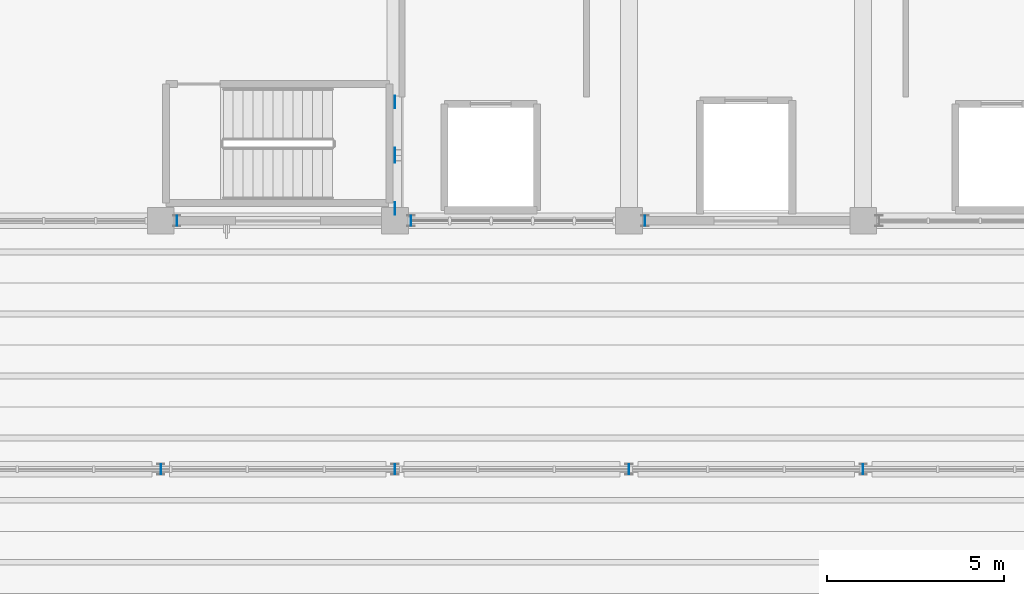
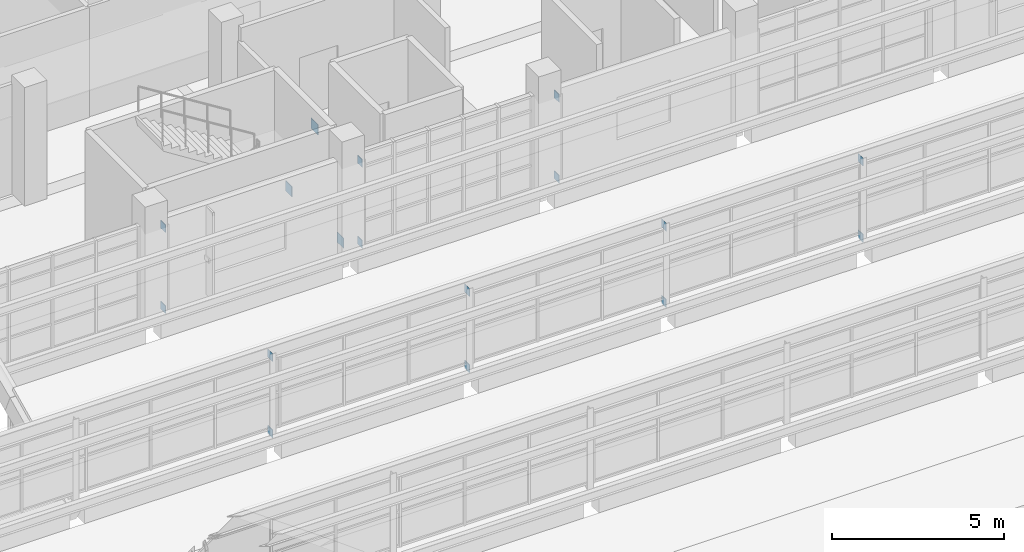
# One storey, part 83 of 92: 17 plates.
"""IFC4 building model written with IfcOpenShell, lengths in metres."""

from ifc_helpers import new_model, si_unit, direction, frame, origin, origin_2d, place, context, subcontext, project, spatial, rectangle, extrude, material, layer, layer_set, type_object, element, save


model = new_model("IFC4")

# Units and contexts
model_context = context("Model", 3, precision=1e-05, world=origin(), true_north=direction((0.0, 1.0)))
body_context = subcontext(model_context, "Body", "Model", "MODEL_VIEW")
ifc_project = project(units=[si_unit("LENGTHUNIT", "METRE"), si_unit("AREAUNIT", "SQUARE_METRE"), si_unit("VOLUMEUNIT", "CUBIC_METRE"), si_unit("PLANEANGLEUNIT", "RADIAN"), si_unit("MASSUNIT", "GRAM", prefix="KILO")], contexts=[model_context])

# Site, building, storey
site_placement = place(None, origin())
site = spatial("IfcSite", under=ifc_project, at=site_placement, CompositionType="ELEMENT")
building_placement = place(site_placement, origin())
building = spatial("IfcBuilding", under=site, at=building_placement, Name="Ciguamira Faculty of Natural Sciences", CompositionType="ELEMENT")
storey_placement = place(building_placement, frame((0.0, 0.0, 16.800048828125)))
storey = spatial("IfcBuildingStorey", under=building, at=storey_placement, Name="L04", CompositionType="ELEMENT", Elevation=16.800048828125)

# Plates
ifc_material = material(Name="Steel ASTM A572 Grade 50", Category="steel")
ifc_layer_1 = layer(ifc_material, 0.01611328125, Name="Steel ASTM A572 Grade 50")
ifc_layer_set_1 = layer_set([ifc_layer_1], Name="Steel ASTM A572 Grade 50")
plate_type_1 = type_object("IfcPlateType", Name="GussetPlate_EP-01", PredefinedType="SHEET", material=ifc_layer_set_1)
for number, where, z_axis, x_axis, name in (
    (1, (70.5, 87.0, 0.0), (0.0, 0.0, 1.0), (1.0, 0.0, 0.0), "V4 wave 6 post connection plate 70-1"),
    (2, (70.5, 87.0, 2.7060546875), (0.0, 0.0, 1.0), (1.0, 0.0, 0.0), "V4 wave 6 post connection plate 70-2"),
    (3, (77.10009765625, 87.0, 0.0), (0.0, 0.0, 1.0), (1.0, 0.0, 0.0), "V4 wave 6 post connection plate 77-1"),
    (4, (77.10009765625, 87.0, 2.7060546875), (0.0, 0.0, 1.0), (1.0, 0.0, 0.0), "V4 wave 6 post connection plate 77-2"),
    (5, (83.699951171875, 87.0, 0.0), (0.0, 0.0, 1.0), (1.0, 0.0, 0.0), "V4 wave 6 post connection plate 84-1"),
    (6, (83.699951171875, 87.0, 2.7060546875), (0.0, 0.0, 1.0), (1.0, 0.0, 0.0), "V4 wave 6 post connection plate 84-2"),
    (7, (90.300048828125, 87.0, 0.0), (0.0, 0.0, 1.0), (1.0, 0.0, 0.0), "V4 wave 6 post connection plate 90-1"),
    (8, (90.300048828125, 87.0, 2.7060546875), (0.0, 0.0, 1.0), (1.0, 0.0, 0.0), "V4 wave 6 post connection plate 90-2"),
    (9, (70.949951171875, 94.0, 0.0), (0.0, 0.0, 1.0), (1.0, 0.0, 0.0), "V4 wave 7 post connection plate 70-1"),
    (10, (70.949951171875, 94.0, 2.8701171875), (0.0, 0.0, 1.0), (1.0, 0.0, 0.0), "V4 wave 7 post connection plate 70-2"),
    (11, (77.550048828125, 94.0, 0.0), (0.0, 0.0, 1.0), (1.0, 0.0, 0.0), "V4 wave 7 post connection plate 77-1"),
    (12, (77.550048828125, 94.0, 2.8701171875), (0.0, 0.0, 1.0), (1.0, 0.0, 0.0), "V4 wave 7 post connection plate 77-2"),
    (13, (84.14990234375, 94.0, 0.0), (0.0, 0.0, 1.0), (1.0, 0.0, 0.0), "V4 wave 7 post connection plate 84-1"),
    (14, (84.14990234375, 94.0, 2.8701171875), (0.0, 0.0, 1.0), (1.0, 0.0, 0.0), "V4 wave 7 post connection plate 84-2"),
):
    element("IfcPlate", number, at=place(storey_placement, frame(where, z_axis=z_axis, x_axis=x_axis)), inside=storey, type_object=plate_type_1, Name=name, PredefinedType="SHEET", context=body_context, shape_type="SweptSolid", body=[
        extrude(rectangle(XDim=0.01611328125, YDim=0.280029296875, at=origin_2d()), origin(), (0.0, 0.0, 1.0), 0.280029296875),
    ])
ifc_layer_2 = layer(ifc_material, 0.02001953125, Name="Steel ASTM A572 Grade 50")
ifc_layer_set_2 = layer_set([ifc_layer_2], Name="Steel ASTM A572 Grade 50")
plate_type_2 = type_object("IfcPlateType", Name="GussetPlate_EP-02", PredefinedType="SHEET", material=ifc_layer_set_2)
plate_placement = place(storey_placement, frame((77.10009765625, 95.85009765625, 3.10009765625), z_axis=(0.0, 0.0, 1.0), x_axis=(1.0, 0.0, 0.0)))
element("IfcPlate", 15, at=plate_placement, inside=storey, type_object=plate_type_2, Name="L04 chevron brace apex gusset plate 011", PredefinedType="SHEET", context=body_context, shape_type="SweptSolid", body=[
    extrude(rectangle(XDim=0.02001953125, YDim=0.419921875, at=origin_2d()), origin(), (0.0, 0.0, 1.0), 0.360107421875),
])
for number, where, z_axis, x_axis, name in (
    (16, (77.10009765625, 94.35009765625, -0.02001953125), (0.0, 0.0, 1.0), (1.0, 0.0, 0.0), "L04 chevron brace base gusset plate 021"),
    (17, (77.10009765625, 97.35009765625, -0.02001953125), (0.0, 0.0, 1.0), (1.0, 0.0, 0.0), "L04 chevron brace base gusset plate 022"),
):
    element("IfcPlate", number, at=place(storey_placement, frame(where, z_axis=z_axis, x_axis=x_axis)), inside=storey, type_object=plate_type_2, Name=name, PredefinedType="SHEET", context=body_context, shape_type="SweptSolid", body=[
        extrude(rectangle(XDim=0.02001953125, YDim=0.360107421875, at=origin_2d()), origin(), (0.0, 0.0, 1.0), 0.360107421875),
    ])

save(model, "model.ifc")
